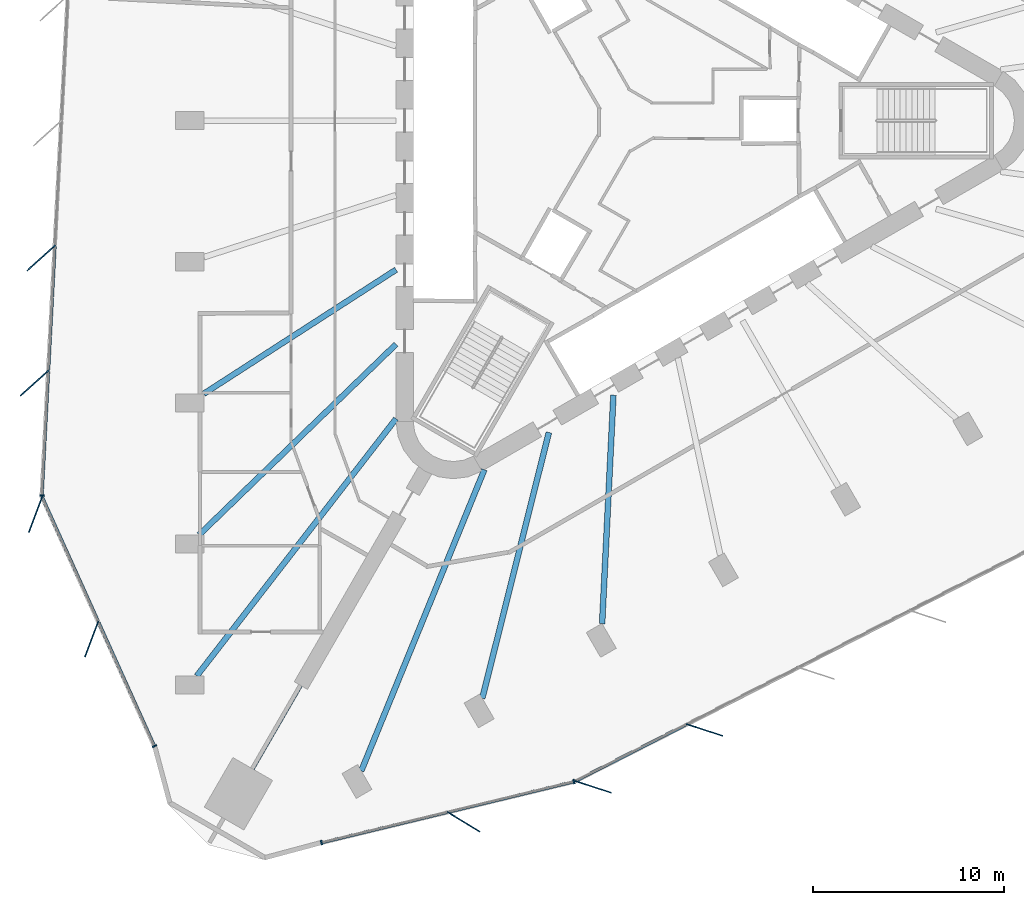
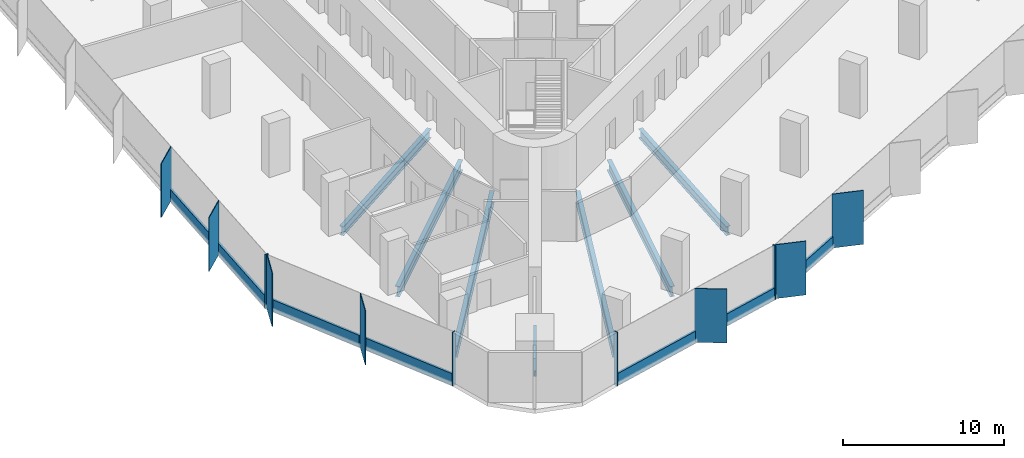
# One storey, part 2 of 14: 18 members, 7 beams, 4 elements without a shape of their own.
"""IFC4 building model written with IfcOpenShell, lengths in metres."""

from ifc_helpers import new_model, si_unit, direction, frame, origin, origin_2d, place, context, subcontext, project, spatial, rectangle, i_section, extrude, material, material_profile, profile_set, type_object, element, aggregate, save


model = new_model("IFC4")

# Units and contexts
model_context = context("Model", 3, precision=1e-05, world=origin(), true_north=direction((0.0, 1.0)))
body_context = subcontext(model_context, "Body", "Model", "MODEL_VIEW")
ifc_project = project(units=[si_unit("LENGTHUNIT", "METRE"), si_unit("AREAUNIT", "SQUARE_METRE"), si_unit("VOLUMEUNIT", "CUBIC_METRE"), si_unit("PLANEANGLEUNIT", "RADIAN"), si_unit("MASSUNIT", "GRAM", prefix="KILO")], contexts=[model_context])

# Site, building, storey
site_placement = place(None, origin())
site = spatial("IfcSite", under=ifc_project, at=site_placement, CompositionType="ELEMENT")
building_placement = place(site_placement, origin())
building = spatial("IfcBuilding", under=site, at=building_placement, Name="Tanit Gate Tower", CompositionType="ELEMENT")
storey_placement = place(building_placement, frame((0.0, 0.0, 111.10009765625)))
storey = spatial("IfcBuildingStorey", under=building, at=storey_placement, Name="L23", CompositionType="ELEMENT", Elevation=111.10009765625)

# Curtain wall, members
ifc_material_1 = material(Name="Aluminium bronze anodised and glass", Category="aluminium")
curtain_wall_type = type_object("IfcCurtainWallType", Name="Curtain wall typical low", PredefinedType="NOTDEFINED", material=ifc_material_1)
curtain_wall_1_placement = place(storey_placement, origin())
curtain_wall_1 = element("IfcCurtainWall", 1, at=curtain_wall_1_placement, inside=storey, type_object=curtain_wall_type, Name="Curtain wall L23 W2", PredefinedType="NOTDEFINED")
ifc_material_2 = material(Name="Aluminium bronze anodised", Category="aluminium")
ifc_material_profile_1 = material_profile(ifc_material_2, rectangle(XDim=2.0, YDim=0.055908203125, at=origin_2d()), Name="56x2000 bronze fin mullion")
ifc_profile_set_1 = profile_set([ifc_material_profile_1], Name="Aluminium bronze anodised")
member_type_1 = type_object("IfcMemberType", Name="FIN MULLION 56x2000 bronze", PredefinedType="MULLION", material=ifc_profile_set_1)
member_1_placement = place(storey_placement, frame((-30.701904296875, -7.201904296875, -0.300048828125), z_axis=(0.0, 0.0, 1.0), x_axis=(0.742921658135, 0.669378375715, 0.0)))
member_1 = element("IfcMember", 2, at=member_1_placement, type_object=member_type_1, Name="Fin mullion L23 W2.5", PredefinedType="MULLION", context=body_context, shape_type="SweptSolid", body=[
    extrude(rectangle(XDim=2.0, YDim=0.055908203125, at=origin_2d()), origin(), (0.0, 0.0, 1.0), 4.099853515625),
])
member_2_placement = place(storey_placement, frame((-31.04296875, -13.750732421875, -0.300048828125), z_axis=(0.0, 0.0, 1.0), x_axis=(0.742921658135, 0.669378375715, 0.0)))
member_2 = element("IfcMember", 3, at=member_2_placement, type_object=member_type_1, Name="Fin mullion L23 W2.6", PredefinedType="MULLION", context=body_context, shape_type="SweptSolid", body=[
    extrude(rectangle(XDim=2.0, YDim=0.055908203125, at=origin_2d()), origin(), (0.0, 0.0, 1.0), 4.099853515625),
])

curtain_wall_2_placement = place(storey_placement, origin())
curtain_wall_2 = element("IfcCurtainWall", 4, at=curtain_wall_2_placement, inside=storey, type_object=curtain_wall_type, Name="Curtain wall L23 W3", PredefinedType="NOTDEFINED")
member_3_placement = place(storey_placement, frame((-30.989501953125, -20.6357421875, -0.300048828125), z_axis=(0.0, 0.0, 1.0), x_axis=(0.354076031727, 0.935216640013, 0.0)))
member_3 = element("IfcMember", 5, at=member_3_placement, type_object=member_type_1, Name="Fin mullion L23 W3.1", PredefinedType="MULLION", context=body_context, shape_type="SweptSolid", body=[
    extrude(rectangle(XDim=2.0, YDim=0.055908203125, at=origin_2d()), origin(), (0.0, 0.0, 1.0), 4.099853515625),
])
member_4_placement = place(storey_placement, frame((-28.048828125, -27.15966796875, -0.300048828125), z_axis=(0.0, 0.0, 1.0), x_axis=(0.354076031727, 0.935216640013, 0.0)))
member_4 = element("IfcMember", 6, at=member_4_placement, type_object=member_type_1, Name="Fin mullion L23 W3.2", PredefinedType="MULLION", context=body_context, shape_type="SweptSolid", body=[
    extrude(rectangle(XDim=2.0, YDim=0.055908203125, at=origin_2d()), origin(), (0.0, 0.0, 1.0), 4.099853515625),
])

# Curtain wall, member
curtain_wall_3_placement = place(storey_placement, origin())
curtain_wall_3 = element("IfcCurtainWall", 7, at=curtain_wall_3_placement, inside=storey, type_object=curtain_wall_type, Name="Curtain wall L23 SE1", PredefinedType="NOTDEFINED")
member_5_placement = place(storey_placement, frame((-8.5615234375, -36.7373046875, -0.300048828125), z_axis=(0.0, 0.0, 1.0), x_axis=(-0.853451294708, 0.521172608222, 0.0)))
member_5 = element("IfcMember", 8, at=member_5_placement, type_object=member_type_1, Name="Fin mullion L23 SE1.2", PredefinedType="MULLION", context=body_context, shape_type="SweptSolid", body=[
    extrude(rectangle(XDim=2.0, YDim=0.055908203125, at=origin_2d()), origin(), (0.0, 0.0, 1.0), 4.099853515625),
])

# Curtain wall, members
curtain_wall_4_placement = place(storey_placement, origin())
curtain_wall_4 = element("IfcCurtainWall", 9, at=curtain_wall_4_placement, inside=storey, type_object=curtain_wall_type, Name="Curtain wall L23 SE2", PredefinedType="NOTDEFINED")
member_6_placement = place(storey_placement, frame((-1.780029296875, -34.904052734375, -0.300048828125), z_axis=(0.0, 0.0, 1.0), x_axis=(-0.95115950718, 0.308699841109, 0.0)))
member_6 = element("IfcMember", 10, at=member_6_placement, type_object=member_type_1, Name="Fin mullion L23 SE2.1", PredefinedType="MULLION", context=body_context, shape_type="SweptSolid", body=[
    extrude(rectangle(XDim=2.0, YDim=0.055908203125, at=origin_2d()), origin(), (0.0, 0.0, 1.0), 4.099853515625),
])
member_7_placement = place(storey_placement, frame((4.06201171875, -31.9248046875, -0.300048828125), z_axis=(0.0, 0.0, 1.0), x_axis=(-0.95115950718, 0.308699841109, 0.0)))
member_7 = element("IfcMember", 11, at=member_7_placement, type_object=member_type_1, Name="Fin mullion L23 SE2.2", PredefinedType="MULLION", context=body_context, shape_type="SweptSolid", body=[
    extrude(rectangle(XDim=2.0, YDim=0.055908203125, at=origin_2d()), origin(), (0.0, 0.0, 1.0), 4.099853515625),
])

# Member
ifc_material_3 = material(Name="Aluminium bronze anodised", Category="aluminium")
ifc_material_profile_2 = material_profile(ifc_material_3, rectangle(XDim=0.239990234375, YDim=0.080078125, at=origin_2d()), Name="80x240 bronze mullion")
ifc_profile_set_2 = profile_set([ifc_material_profile_2], Name="Aluminium bronze anodised")
member_type_2 = type_object("IfcMemberType", Name="Mullion 80x240 typical low", PredefinedType="MULLION", material=ifc_profile_set_2)
member_8_placement = place(storey_placement, frame((-30.65771484375, -19.645263671875, -0.300048828125), z_axis=(0.0, 0.0, 1.0), x_axis=(0.998646931005, -0.05200295371, 0.0)))
member_8 = element("IfcMember", 12, at=member_8_placement, type_object=member_type_2, Name="Mullion L23 W2.7", PredefinedType="MULLION", context=body_context, shape_type="SweptSolid", body=[
    extrude(rectangle(XDim=0.239990234375, YDim=0.080078125, at=origin_2d()), origin(), (0.0, 0.0, 1.0), 4.099853515625),
])

member_9_placement = place(storey_placement, frame((-24.76220703125, -32.769775390625, -0.300048828125), z_axis=(0.0, 0.0, 1.0), x_axis=(0.911667591121, 0.410928464942, 0.0)))
member_9 = element("IfcMember", 13, at=member_9_placement, type_object=member_type_2, Name="Mullion L23 W3.3", PredefinedType="MULLION", context=body_context, shape_type="SweptSolid", body=[
    extrude(rectangle(XDim=0.239990234375, YDim=0.080078125, at=origin_2d()), origin(), (0.0, 0.0, 1.0), 4.099853515625),
])

member_10_placement = place(storey_placement, frame((-16.00732421875, -37.826171875, -0.300048828125), z_axis=(0.0, 0.0, 1.0), x_axis=(-0.234956512458, 0.972005883343, 0.0)))
member_10 = element("IfcMember", 14, at=member_10_placement, type_object=member_type_2, Name="Mullion L23 SE1.1", PredefinedType="MULLION", context=body_context, shape_type="SweptSolid", body=[
    extrude(rectangle(XDim=0.239990234375, YDim=0.080078125, at=origin_2d()), origin(), (0.0, 0.0, 1.0), 4.099853515625),
])

member_11_placement = place(storey_placement, frame((-2.7841796875, -34.6298828125, -0.300048828125), z_axis=(0.0, 0.0, 1.0), x_axis=(-0.234956512458, 0.972005883343, 0.0)))
member_11 = element("IfcMember", 15, at=member_11_placement, type_object=member_type_2, Name="Mullion L23 SE1.3", PredefinedType="MULLION", context=body_context, shape_type="SweptSolid", body=[
    extrude(rectangle(XDim=0.239990234375, YDim=0.080078125, at=origin_2d()), origin(), (0.0, 0.0, 1.0), 4.099853515625),
])

# Beams
ifc_material_4 = material(Name="Steel S355", Category="steel")
ifc_material_profile_3 = material_profile(ifc_material_4, i_section(OverallWidth=0.300048828125, OverallDepth=0.68994140625, WebThickness=0.014404296875, FlangeThickness=0.027099609375, FilletRadius=0.027099609375, at=origin_2d()), Name="HEA 700")
ifc_profile_set_3 = profile_set([ifc_material_profile_3], Name="Steel S355")
beam_type_1 = type_object("IfcBeamType", Name="RADIAL GIRDER HEA 700 S355", PredefinedType="BEAM", material=ifc_profile_set_3)
beam_1_placement = place(storey_placement, frame((-22.173095703125, -14.307861328125, -0.64501953125), z_axis=(0.840246058538, 0.542205275805, 0.0), x_axis=(-0.542205275805, 0.840246058538, 0.0)))
element("IfcBeam", 16, at=beam_1_placement, inside=storey, type_object=beam_type_1, Name="RADIAL GIRDER", PredefinedType="BEAM", context=body_context, shape_type="SweptSolid", body=[
    extrude(i_section(OverallWidth=0.300048828125, OverallDepth=0.68994140625, WebThickness=0.014404296875, FlangeThickness=0.027099609375, FilletRadius=0.027099609375, at=origin_2d()), origin(), (0.0, 0.0, 1.0), 11.98583984375),
])
beam_2_placement = place(storey_placement, frame((-1.304443359375, -26.356201171875, -0.64501953125), z_axis=(0.049436754849, 0.998777256084, 0.0), x_axis=(-0.998777256084, 0.049436754849, 0.0)))
element("IfcBeam", 17, at=beam_2_placement, inside=storey, type_object=beam_type_1, Name="RADIAL GIRDER", PredefinedType="BEAM", context=body_context, shape_type="SweptSolid", body=[
    extrude(i_section(OverallWidth=0.300048828125, OverallDepth=0.68994140625, WebThickness=0.014404296875, FlangeThickness=0.027099609375, FilletRadius=0.027099609375, at=origin_2d()), origin(), (0.0, 0.0, 1.0), 11.985595703125),
])
ifc_material_5 = material(Name="Steel S355", Category="steel")
ifc_material_profile_4 = material_profile(ifc_material_5, i_section(OverallWidth=0.300048828125, OverallDepth=0.7900390625, WebThickness=0.014892578125, FlangeThickness=0.028076171875, FilletRadius=0.030029296875, at=origin_2d()), Name="HEA 800")
ifc_profile_set_4 = profile_set([ifc_material_profile_4], Name="Steel S355")
beam_type_2 = type_object("IfcBeamType", Name="RADIAL GIRDER HEA 800 S355", PredefinedType="BEAM", material=ifc_profile_set_4)
beam_3_placement = place(storey_placement, frame((-22.41845703125, -21.69921875, -0.695068359375), z_axis=(0.718541832966, 0.695483741203, 0.0), x_axis=(-0.695483741203, 0.718541832966, 0.0)))
element("IfcBeam", 18, at=beam_3_placement, inside=storey, type_object=beam_type_2, Name="RADIAL GIRDER", PredefinedType="BEAM", context=body_context, shape_type="SweptSolid", body=[
    extrude(i_section(OverallWidth=0.300048828125, OverallDepth=0.7900390625, WebThickness=0.014892578125, FlangeThickness=0.028076171875, FilletRadius=0.030029296875, at=origin_2d()), origin(), (0.0, 0.0, 1.0), 14.357421875),
])
beam_4_placement = place(storey_placement, frame((-7.5830078125, -30.264404296875, -0.695068359375), z_axis=(0.243047731856, 0.970014329811, 0.0), x_axis=(-0.970014329811, 0.243047731856, 0.0)))
element("IfcBeam", 19, at=beam_4_placement, inside=storey, type_object=beam_type_2, Name="RADIAL GIRDER", PredefinedType="BEAM", context=body_context, shape_type="SweptSolid", body=[
    extrude(i_section(OverallWidth=0.300048828125, OverallDepth=0.7900390625, WebThickness=0.014892578125, FlangeThickness=0.028076171875, FilletRadius=0.030029296875, at=origin_2d()), origin(), (0.0, 0.0, 1.0), 14.357177734375),
])
ifc_material_6 = material(Name="Steel S355", Category="steel")
ifc_material_profile_5 = material_profile(ifc_material_6, i_section(OverallWidth=0.300048828125, OverallDepth=0.889892578125, WebThickness=0.01611328125, FlangeThickness=0.030029296875, FilletRadius=0.030029296875, at=origin_2d()), Name="HEA 900")
ifc_profile_set_5 = profile_set([ifc_material_profile_5], Name="Steel S355")
beam_type_3 = type_object("IfcBeamType", Name="RADIAL GIRDER HEA 900 S355", PredefinedType="BEAM", material=ifc_profile_set_5)
beam_5_placement = place(storey_placement, frame((-22.541015625, -29.0908203125, -0.7451171875), z_axis=(0.612492683922, 0.790476256533, 0.0), x_axis=(-0.790476256533, 0.612492683922, 0.0)))
element("IfcBeam", 20, at=beam_5_placement, inside=storey, type_object=beam_type_3, Name="RADIAL GIRDER", PredefinedType="BEAM", context=body_context, shape_type="SweptSolid", body=[
    extrude(i_section(OverallWidth=0.300048828125, OverallDepth=0.889892578125, WebThickness=0.01611328125, FlangeThickness=0.030029296875, FilletRadius=0.030029296875, at=origin_2d()), origin(), (0.0, 0.0, 1.0), 17.04345703125),
])
beam_6_placement = place(storey_placement, frame((-13.9228515625, -34.06640625, -0.7451171875), z_axis=(0.378315448854, 0.925676736857, 0.0), x_axis=(-0.925676736857, 0.378315448854, 0.0)))
element("IfcBeam", 21, at=beam_6_placement, inside=storey, type_object=beam_type_3, Name="RADIAL GIRDER", PredefinedType="BEAM", context=body_context, shape_type="SweptSolid", body=[
    extrude(i_section(OverallWidth=0.300048828125, OverallDepth=0.889892578125, WebThickness=0.01611328125, FlangeThickness=0.030029296875, FilletRadius=0.030029296875, at=origin_2d()), origin(), (0.0, 0.0, 1.0), 17.043212890625),
])
ifc_material_7 = material(Name="Steel S355", Category="steel")
ifc_material_profile_6 = material_profile(ifc_material_7, i_section(OverallWidth=0.179931640625, OverallDepth=0.39990234375, WebThickness=0.008544921875, FlangeThickness=0.013427734375, FilletRadius=0.02099609375, at=origin_2d()), Name="IPE 400")
ifc_profile_set_6 = profile_set([ifc_material_profile_6], Name="Steel S355")
beam_type_4 = type_object("IfcBeamType", Name="RADIAL GIRDER IPE 400 S355", PredefinedType="BEAM", material=ifc_profile_set_6)
beam_7_placement = place(storey_placement, frame((-19.611572265625, -33.96826171875, -0.5), z_axis=(0.499994660107, 0.866028486751, 0.0), x_axis=(-0.866028486751, 0.499994660107, 0.0)))
element("IfcBeam", 22, at=beam_7_placement, inside=storey, type_object=beam_type_4, Name="RADIAL GIRDER", PredefinedType="BEAM", context=body_context, shape_type="SweptSolid", body=[
    extrude(i_section(OverallWidth=0.179931640625, OverallDepth=0.39990234375, WebThickness=0.008544921875, FlangeThickness=0.013427734375, FilletRadius=0.02099609375, at=origin_2d()), origin(), (0.0, 0.0, 1.0), 5.04638671875),
])

# Member
ifc_material_8 = material(Name="Aluminium bronze anodised", Category="aluminium")
ifc_material_profile_7 = material_profile(ifc_material_8, rectangle(XDim=0.159912109375, YDim=0.89990234375, at=origin_2d()), Name="160x900 bronze transom")
ifc_profile_set_7 = profile_set([ifc_material_profile_7], Name="Aluminium bronze anodised")
member_type_3 = type_object("IfcMemberType", Name="Transom 160x900 typical low", PredefinedType="USERDEFINED", material=ifc_profile_set_7)
member_12_placement = place(storey_placement, frame((-29.977783203125, -6.587646484375, 0.14990234375), z_axis=(-0.05201283419, -0.998646416446, 0.0), x_axis=(0.998646416446, -0.05201283419, 0.0)))
member_12 = element("IfcMember", 23, at=member_12_placement, type_object=member_type_3, Name="Transom L23 W2.5", ObjectType="TRANSOM", PredefinedType="USERDEFINED", context=body_context, shape_type="SweptSolid", body=[
    extrude(rectangle(XDim=0.159912109375, YDim=0.89990234375, at=origin_2d()), origin(), (0.0, 0.0, 1.0), 6.4775390625),
])

member_13_placement = place(storey_placement, frame((-30.31884765625, -13.136474609375, 0.14990234375), z_axis=(-0.05201283419, -0.998646416446, 0.0), x_axis=(0.998646416446, -0.05201283419, 0.0)))
member_13 = element("IfcMember", 24, at=member_13_placement, type_object=member_type_3, Name="Transom L23 W2.6", ObjectType="TRANSOM", PredefinedType="USERDEFINED", context=body_context, shape_type="SweptSolid", body=[
    extrude(rectangle(XDim=0.159912109375, YDim=0.89990234375, at=origin_2d()), origin(), (0.0, 0.0, 1.0), 6.4775390625),
])

aggregate(curtain_wall_1, [member_1, member_2, member_8, member_12, member_13])

member_14_placement = place(storey_placement, frame((-30.626953125, -19.758056640625, 0.14990234375), z_axis=(0.410915482303, -0.911673442853, 0.0), x_axis=(0.911673442853, 0.410915482303, 0.0)))
member_14 = element("IfcMember", 25, at=member_14_placement, type_object=member_type_3, Name="Transom L23 W3.1", ObjectType="TRANSOM", PredefinedType="USERDEFINED", context=body_context, shape_type="SweptSolid", body=[
    extrude(rectangle(XDim=0.159912109375, YDim=0.89990234375, at=origin_2d()), origin(), (0.0, 0.0, 1.0), 7.076171875),
])

member_15_placement = place(storey_placement, frame((-27.686279296875, -26.2822265625, 0.14990234375), z_axis=(0.410928407728, -0.91166761691, 0.0), x_axis=(0.91166761691, 0.410928407728, 0.0)))
member_15 = element("IfcMember", 26, at=member_15_placement, type_object=member_type_3, Name="Transom L23 W3.2", ObjectType="TRANSOM", PredefinedType="USERDEFINED", context=body_context, shape_type="SweptSolid", body=[
    extrude(rectangle(XDim=0.159912109375, YDim=0.89990234375, at=origin_2d()), origin(), (0.0, 0.0, 1.0), 7.075927734375),
])

aggregate(curtain_wall_2, [member_3, member_4, member_9, member_14, member_15])

member_16_placement = place(storey_placement, frame((-15.968505859375, -37.81689453125, 0.14990234375), z_axis=(0.972007889372, 0.234948213442, 0.0), x_axis=(-0.234948213442, 0.972007889372, 0.0)))
member_16 = element("IfcMember", 27, at=member_16_placement, type_object=member_type_3, Name="Transom L23 SE1.1", ObjectType="TRANSOM", PredefinedType="USERDEFINED", context=body_context, shape_type="SweptSolid", body=[
    extrude(rectangle(XDim=0.159912109375, YDim=0.89990234375, at=origin_2d()), origin(), (0.0, 0.0, 1.0), 6.72216796875),
])

member_17_placement = place(storey_placement, frame((-9.356689453125, -36.21875, 0.14990234375), z_axis=(0.971997589077, 0.234990822858, 0.0), x_axis=(-0.234990822858, 0.971997589077, 0.0)))
member_17 = element("IfcMember", 28, at=member_17_placement, type_object=member_type_3, Name="Transom L23 SE1.2", ObjectType="TRANSOM", PredefinedType="USERDEFINED", context=body_context, shape_type="SweptSolid", body=[
    extrude(rectangle(XDim=0.159912109375, YDim=0.89990234375, at=origin_2d()), origin(), (0.0, 0.0, 1.0), 6.721923828125),
])

aggregate(curtain_wall_3, [member_10, member_5, member_11, member_16, member_17])

member_18_placement = place(storey_placement, frame((-2.673828125, -34.584228515625, 0.14990234375), z_axis=(0.890840947934, 0.454315315045, 0.0), x_axis=(-0.454315315045, 0.890840947934, 0.0)))
member_18 = element("IfcMember", 29, at=member_18_placement, type_object=member_type_3, Name="Transom L23 SE2.1", ObjectType="TRANSOM", PredefinedType="USERDEFINED", context=body_context, shape_type="SweptSolid", body=[
    extrude(rectangle(XDim=0.159912109375, YDim=0.89990234375, at=origin_2d()), origin(), (0.0, 0.0, 1.0), 6.4775390625),
])

aggregate(curtain_wall_4, [member_6, member_7, member_18])

save(model, "model.ifc")
